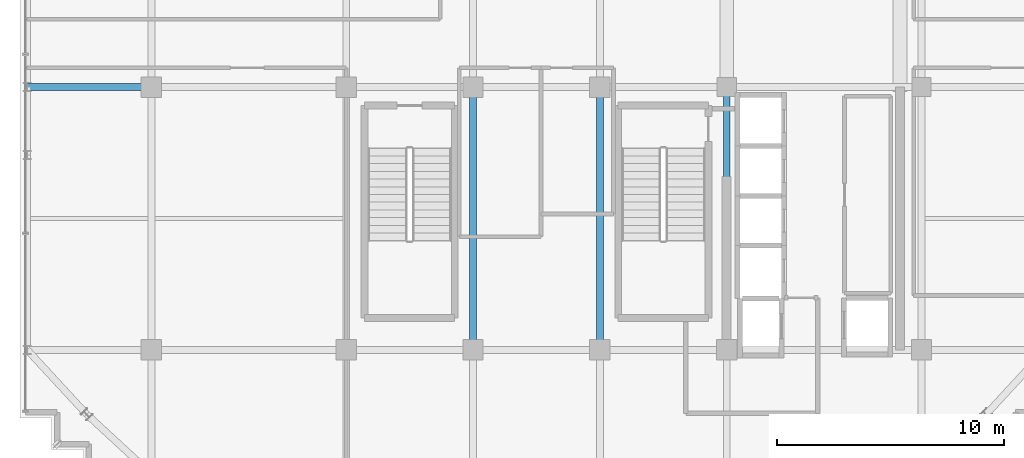
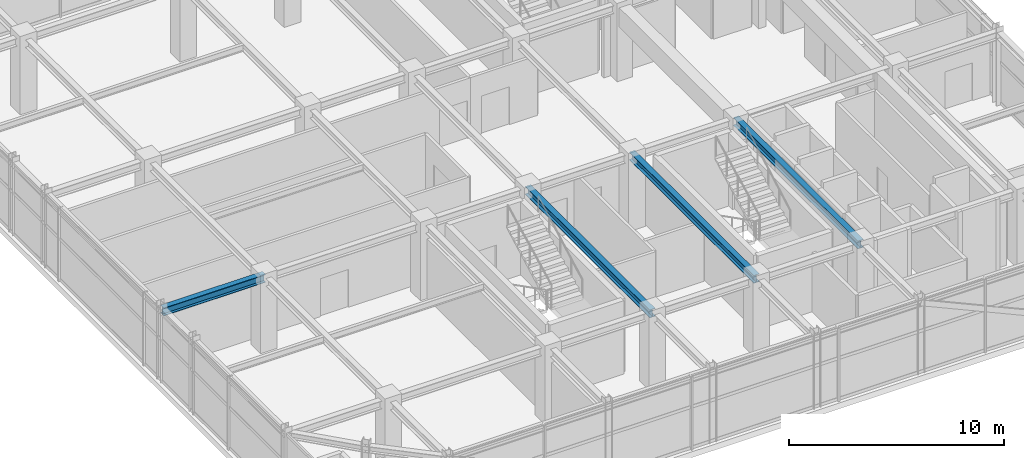
# One storey, part 7 of 26: 4 beams.
"""IFC4 building model written with IfcOpenShell, lengths in metres."""

from ifc_helpers import new_model, si_unit, direction, frame, origin, origin_2d, place, context, subcontext, project, spatial, i_section, extrude, source, transform, mapped, material, material_profile, profile_set, type_object, element, save


model = new_model("IFC4")

# Units and contexts
model_context = context("Model", 3, precision=1e-05, world=origin(), true_north=direction((0.0, 1.0)))
body_context = subcontext(model_context, "Body", "Model", "MODEL_VIEW")
ifc_project = project(units=[si_unit("LENGTHUNIT", "METRE"), si_unit("AREAUNIT", "SQUARE_METRE"), si_unit("VOLUMEUNIT", "CUBIC_METRE"), si_unit("PLANEANGLEUNIT", "RADIAN"), si_unit("MASSUNIT", "GRAM", prefix="KILO")], contexts=[model_context])

# Site, building, storey
site_placement = place(None, origin())
site = spatial("IfcSite", under=ifc_project, at=site_placement, CompositionType="ELEMENT")
building_placement = place(site_placement, origin())
building = spatial("IfcBuilding", under=site, at=building_placement, Name="Nahalor Promenade Grand Hotel", CompositionType="ELEMENT")
storey_placement = place(building_placement, frame((0.0, 0.0, 343.050048828125)))
storey = spatial("IfcBuildingStorey", under=building, at=storey_placement, Name="L88", CompositionType="ELEMENT", Elevation=343.050048828125)

# Beams
ifc_material = material(Name="Steel S355JR", Category="steel")
ifc_material_profile = material_profile(ifc_material, i_section(OverallWidth=0.3, OverallDepth=0.45, WebThickness=0.014, FlangeThickness=0.026, at=origin_2d()), Name="HEB 450")
ifc_profile_set = profile_set([ifc_material_profile], Name="Steel S355JR")
beam_type = type_object("IfcBeamType", Name="Beam-Girder-HEB450", PredefinedType="BEAM", material=ifc_profile_set)
shared_shape_1 = source(origin(), body_context, "Body", "SweptSolid", [
    extrude(i_section(OverallWidth=0.3, OverallDepth=0.45, WebThickness=0.014, FlangeThickness=0.026, at=origin_2d()), origin(), (0.0, 0.0, 1.0), 11.60009765625),
])
for number, where, z_axis, x_axis, name in (
    (1, (-2.800048828125, -17.0, 3.945068359375), (0.0, 1.0, 0.0), (-1.0, 0.0, 0.0), "BM-L88-GY-2-1"),
    (2, (2.800048828125, -17.0, 3.945068359375), (0.0, 1.0, 0.0), (-1.0, 0.0, 0.0), "BM-L88-GY-3-1"),
    (3, (8.39990234375, -17.0, 3.945068359375), (0.0, 1.0, 0.0), (-1.0, 0.0, 0.0), "BM-L88-GY-4-1"),
):
    element("IfcBeam", number, at=place(storey_placement, frame(where, z_axis=z_axis, x_axis=x_axis)), inside=storey, type_object=beam_type, Name=name, PredefinedType="BEAM", context=body_context, shape_type="MappedRepresentation", body=[
        mapped(shared_shape_1, transform((0.0, 0.0, 0.0), scale=1.0)),
    ])
shared_shape_2 = source(origin(), body_context, "Body", "SweptSolid", [
    extrude(i_section(OverallWidth=0.3, OverallDepth=0.45, WebThickness=0.014, FlangeThickness=0.026, at=origin_2d()), origin(), (0.0, 0.0, 1.0), 5.47998046875),
])
beam_placement = place(storey_placement, frame((-22.47998046875, -5.39990234375, 3.945068359375), z_axis=(1.0, 0.0, 0.0), x_axis=(0.0, 1.0, 0.0)))
element("IfcBeam", 4, at=beam_placement, inside=storey, type_object=beam_type, Name="BM-L88-GX-1-0", PredefinedType="BEAM", context=body_context, shape_type="MappedRepresentation", body=[
    mapped(shared_shape_2, transform((0.0, 0.0, 0.0), scale=1.0)),
])

save(model, "model.ifc")
